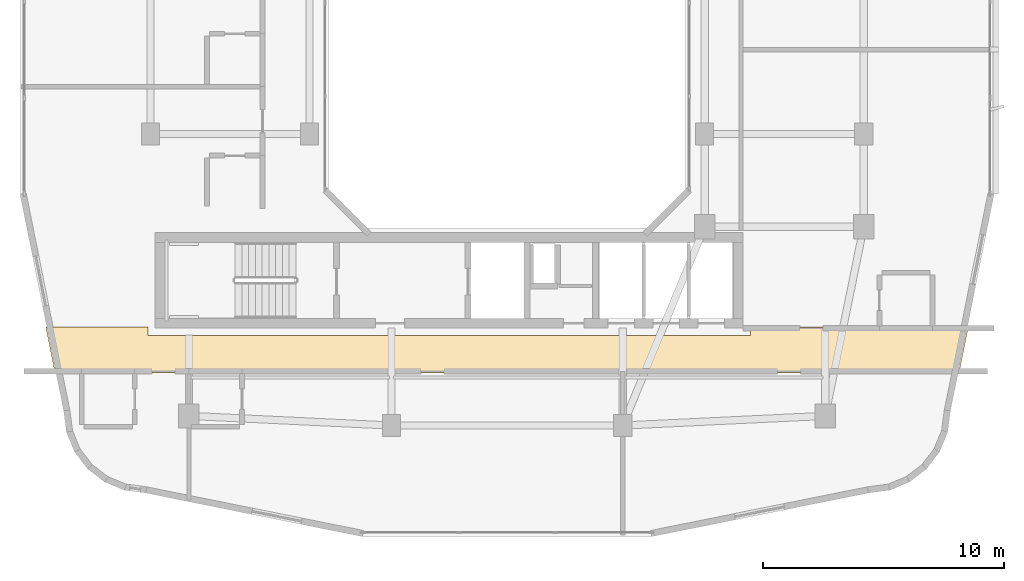
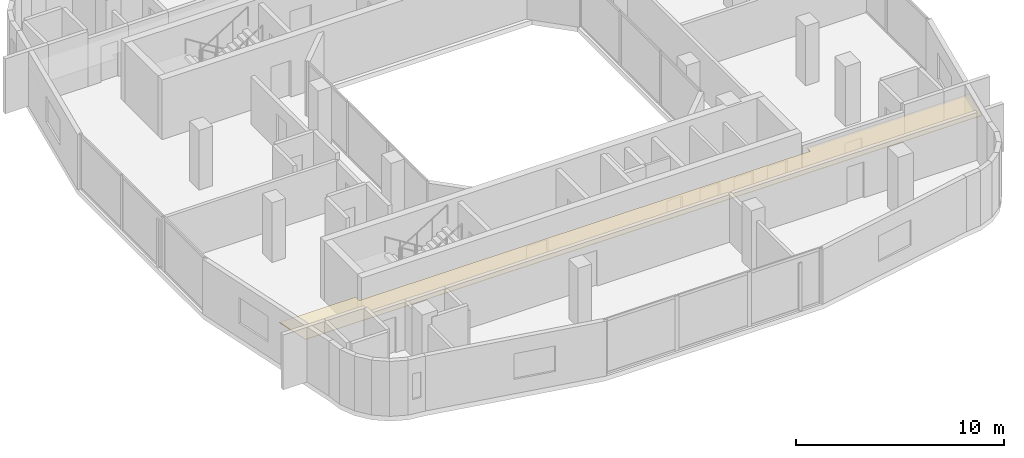
# One storey, part 12 of 14: 1 covering.
"""IFC4 building model written with IfcOpenShell, lengths in metres."""

from ifc_helpers import new_model, si_unit, derived_unit, direction, frame, origin, place, context, subcontext, project, spatial, polyline, outline, extrude, material, layer, layer_set, type_object, element, save


model = new_model("IFC4")

# Units and contexts
model_context = context("Model", 3, precision=1e-05, world=origin(), true_north=direction((0.0, 1.0)))
body_context = subcontext(model_context, "Body", "Model", "MODEL_VIEW")
ifc_project = project(units=[si_unit("LENGTHUNIT", "METRE"), si_unit("AREAUNIT", "SQUARE_METRE"), si_unit("VOLUMEUNIT", "CUBIC_METRE"), si_unit("PLANEANGLEUNIT", "RADIAN"), si_unit("MASSUNIT", "GRAM", prefix="KILO"), derived_unit("THERMALTRANSMITTANCEUNIT", [(si_unit("POWERUNIT", "WATT"), 1), (si_unit("LENGTHUNIT", "METRE"), -2), (si_unit("THERMODYNAMICTEMPERATUREUNIT", "KELVIN"), -1)])], contexts=[model_context])

# Site, building, storey
site_placement = place(None, origin())
site = spatial("IfcSite", under=ifc_project, at=site_placement, CompositionType="ELEMENT")
building_placement = place(site_placement, origin())
building = spatial("IfcBuilding", under=site, at=building_placement, Name="Kivonza Crest Hotel", CompositionType="ELEMENT")
storey_placement = place(building_placement, frame((0.0, 0.0, 152.0)))
storey = spatial("IfcBuildingStorey", under=building, at=storey_placement, Name="L41", CompositionType="ELEMENT", Elevation=152.0)

# Covering
ifc_material = material(Name="Moisture-resistant gypsum plasterboard ceiling", Category="gypsum")
ifc_layer = layer(ifc_material, 0.030029296875)
ifc_layer_set = layer_set([ifc_layer], Name="Moisture-resistant gypsum plasterboard ceiling")
covering_type = type_object("IfcCoveringType", Name="CV-CEIL-GYP", PredefinedType="CEILING", material=ifc_layer_set)
covering_placement = place(storey_placement, frame((0.0, 0.0, 2.449951171875)))
element("IfcCovering", 1, at=covering_placement, inside=storey, type_object=covering_type, Name="L41 Hotel South Guest Corridor suspended ceiling", PredefinedType="CEILING", context=body_context, shape_type="SweptSolid", body=[
    extrude(outline(polyline([(1.85791015625, 13.47998046875), (2.235107421875, 11.610107421875), (39.764892578125, 11.610107421875), (40.14208984375, 13.47998046875), (31.10009765625, 13.47998046875), (31.10009765625, 13.139892578125), (6.10009765625, 13.139892578125), (6.10009765625, 13.47998046875), (1.85791015625, 13.47998046875)])), origin(), (0.0, 0.0, 1.0), 0.030029296875),
])

save(model, "model.ifc")
